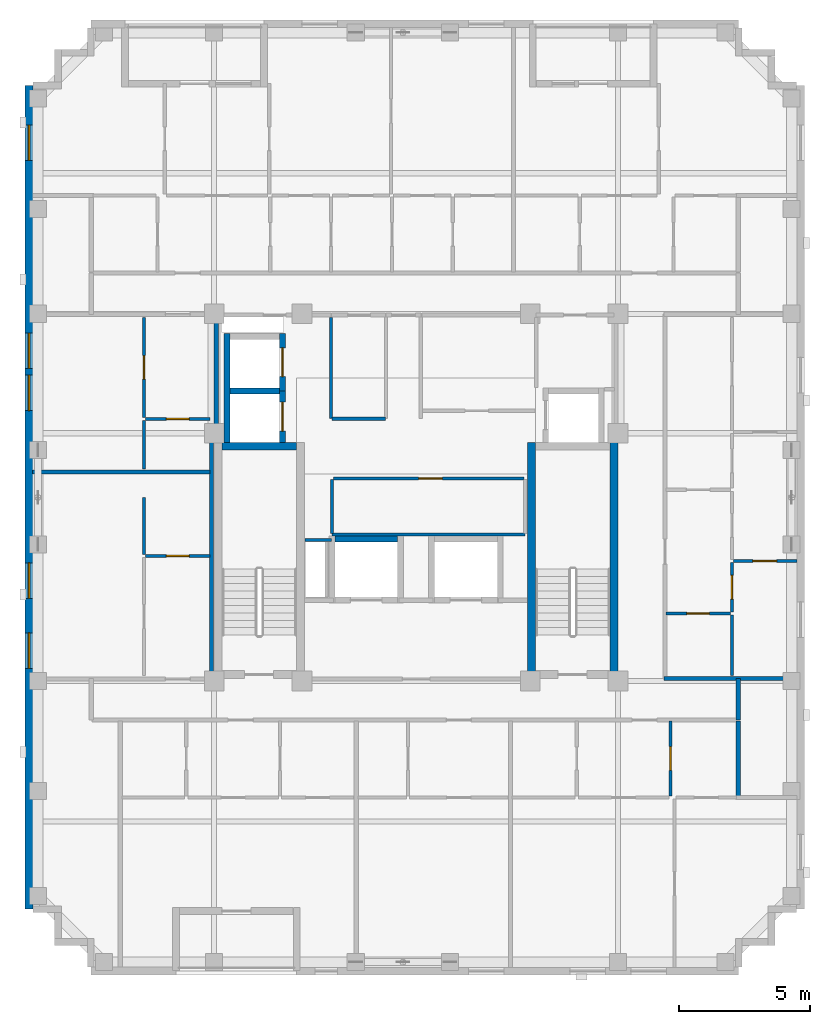
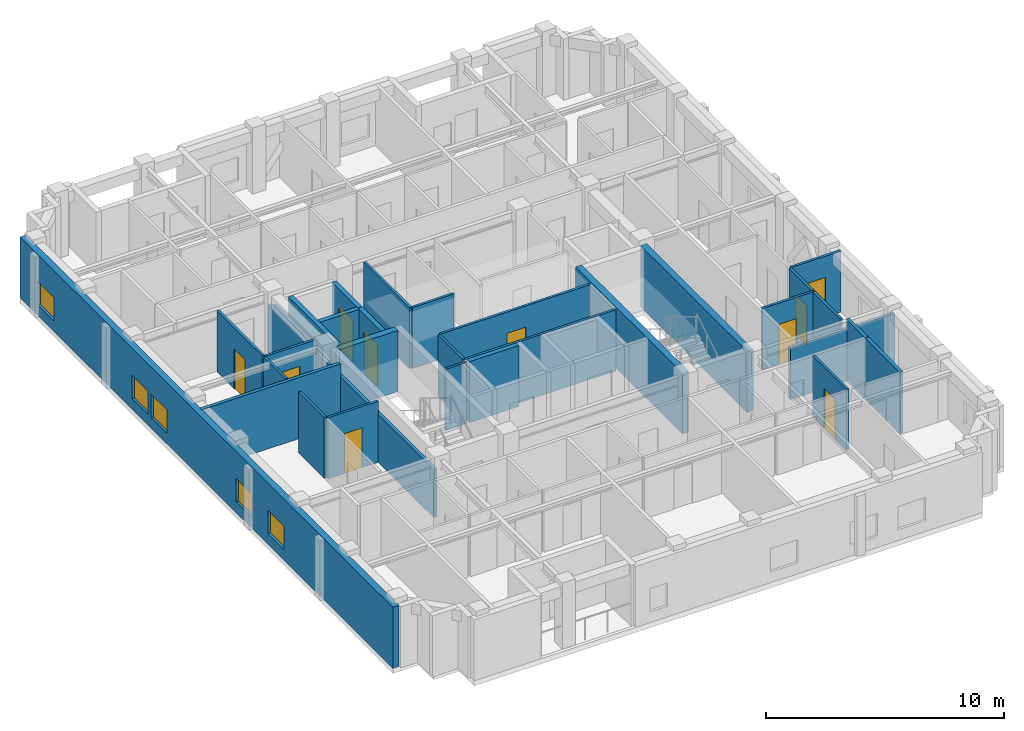
# One storey, part 4 of 11: 31 walls, 10 doors, 5 windows, 15 openings.
"""IFC4 building model written with IfcOpenShell, lengths in metres."""

from ifc_helpers import new_model, si_unit, derived_unit, direction, frame, frame_2d, origin, place, context, subcontext, project, spatial, rectangle, extrude, material, layer, layer_set, type_object, element, fill, save


model = new_model("IFC4")

# Units and contexts
model_context = context("Model", 3, precision=1e-05, world=origin(), true_north=direction((0.0, 1.0)))
body_context = subcontext(model_context, "Body", "Model", "MODEL_VIEW")
ifc_project = project(units=[si_unit("LENGTHUNIT", "METRE"), si_unit("AREAUNIT", "SQUARE_METRE"), si_unit("VOLUMEUNIT", "CUBIC_METRE"), si_unit("PLANEANGLEUNIT", "RADIAN"), si_unit("MASSUNIT", "GRAM", prefix="KILO"), derived_unit("THERMALTRANSMITTANCEUNIT", [(si_unit("MASSUNIT", "GRAM", prefix="KILO"), 1), (si_unit("TIMEUNIT", "SECOND"), -3), (si_unit("THERMODYNAMICTEMPERATUREUNIT", "KELVIN"), -1)])], contexts=[model_context])

# Site, building, storey
site_placement = place(None, origin())
site = spatial("IfcSite", under=ifc_project, at=site_placement, CompositionType="ELEMENT")
building_placement = place(site_placement, origin())
building = spatial("IfcBuilding", under=site, at=building_placement, Name="Korrvale Station Residences", CompositionType="ELEMENT")
storey_placement = place(building_placement, frame((0.0, 0.0, 247.89990234375)))
storey = spatial("IfcBuildingStorey", under=building, at=storey_placement, Name="L72", CompositionType="ELEMENT", Elevation=247.89990234375)

# Walls
ifc_material_1 = material(Name="Concrete C50/60", Category="concrete")
ifc_layer_1 = layer(ifc_material_1, 0.300048828125, Name="Concrete C50/60")
ifc_layer_set_1 = layer_set([ifc_layer_1], Name="Concrete C50/60")
wall_type_1 = type_object("IfcWallType", Name="WAL-CORE-300-C50", PredefinedType="SHEAR", material=ifc_layer_set_1)
wall_1_placement = place(storey_placement, frame((18.10009765625, 23.949951171875, 0.0), z_axis=(0.0, 0.0, 1.0), x_axis=(1.0, 0.0, 0.0)))
element("IfcWall", 1, at=wall_1_placement, inside=storey, type_object=wall_type_1, Name="L72 ST-1 Core Shear Wall North", PredefinedType="SHEAR", context=body_context, shape_type="SweptSolid", body=[
    extrude(rectangle(XDim=2.849853515625, YDim=0.300048828125, at=frame_2d((1.4248046875, 0.0))), origin(), (0.0, 0.0, 1.0), 3.14013671875),
])
for number, where, z_axis, x_axis, name in (
    (2, (29.89990234375, 15.10009765625, 0.0), (0.0, 0.0, 1.0), (0.0, 1.0, 0.0), "L72 ST-2 Core Shear Wall West"),
    (3, (33.050048828125, 15.10009765625, 0.0), (0.0, 0.0, 1.0), (0.0, 1.0, 0.0), "L72 ST-2 Core Shear Wall East"),
):
    element("IfcWall", number, at=place(storey_placement, frame(where, z_axis=z_axis, x_axis=x_axis)), inside=storey, type_object=wall_type_1, Name=name, PredefinedType="SHEAR", context=body_context, shape_type="SweptSolid", body=[
        extrude(rectangle(XDim=9.0, YDim=0.300048828125, at=frame_2d((4.5, 0.0))), origin(), (0.0, 0.0, 1.0), 3.14013671875),
    ])

# Wall, openings, windows
ifc_material_2 = material(Name="Precast concrete C45/55", Category="concrete")
ifc_layer_2 = layer(ifc_material_2, 0.300048828125, Name="Precast concrete C45/55")
ifc_layer_set_2 = layer_set([ifc_layer_2], Name="Precast concrete C45/55")
wall_type_2 = type_object("IfcWallType", Name="WAL-EXT-PC300", PredefinedType="SOLIDWALL", material=ifc_layer_set_2)
wall_2_placement = place(storey_placement, frame((10.75, 6.300048828125, 0.0), z_axis=(0.0, 0.0, 1.0), x_axis=(0.0, 1.0, 0.0)))
wall_2 = element("IfcWall", 4, at=wall_2_placement, inside=storey, type_object=wall_type_2, Name="L72 West Exterior Precast Wall 1", PredefinedType="SOLIDWALL", context=body_context, shape_type="SweptSolid", body=[
    extrude(rectangle(XDim=31.39990234375, YDim=0.300048828125, at=frame_2d((15.699951171875, 0.0))), origin(), (0.0, 0.0, 1.0), 3.14013671875),
])
opening_1_placement = place(wall_2_placement, frame((28.5458984375, 0.0, 0.550048828125)))
opening_1 = element("IfcOpeningElement", 5, at=opening_1_placement, cuts=wall_2, Name="Opening W-10", PredefinedType="OPENING", context=body_context, shape_type="SweptSolid", body=[
    extrude(rectangle(XDim=1.35009765625, YDim=1.199951171875, at=frame_2d((0.675048828125, 0.60009765625))), frame((0.0, 0.16015625, 0.0), z_axis=(0.0, -1.0, 0.0), x_axis=(1.0, 0.0, 0.0)), (0.0, 0.0, 1.0), 0.320068359375),
])
opening_2_placement = place(wall_2_placement, frame((11.85009765625, 0.0, 0.550048828125)))
opening_2 = element("IfcOpeningElement", 6, at=opening_2_placement, cuts=wall_2, Name="Opening W-10", PredefinedType="OPENING", context=body_context, shape_type="SweptSolid", body=[
    extrude(rectangle(XDim=1.35009765625, YDim=1.199951171875, at=frame_2d((0.675048828125, 0.60009765625))), frame((0.0, 0.16015625, 0.0), z_axis=(0.0, -1.0, 0.0), x_axis=(1.0, 0.0, 0.0)), (0.0, 0.0, 1.0), 0.320068359375),
])
opening_3_placement = place(wall_2_placement, frame((9.18505859375, 0.0, 0.550048828125)))
opening_3 = element("IfcOpeningElement", 7, at=opening_3_placement, cuts=wall_2, Name="Opening W-10", PredefinedType="OPENING", context=body_context, shape_type="SweptSolid", body=[
    extrude(rectangle(XDim=1.35009765625, YDim=1.199951171875, at=frame_2d((0.675048828125, 0.60009765625))), frame((0.0, 0.16015625, 0.0), z_axis=(0.0, -1.0, 0.0), x_axis=(1.0, 0.0, 0.0)), (0.0, 0.0, 1.0), 0.320068359375),
])
opening_4_placement = place(wall_2_placement, frame((19.006103515625, 0.0, 0.550048828125)))
opening_4 = element("IfcOpeningElement", 8, at=opening_4_placement, cuts=wall_2, Name="Opening W-10", PredefinedType="OPENING", context=body_context, shape_type="SweptSolid", body=[
    extrude(rectangle(XDim=1.35009765625, YDim=1.199951171875, at=frame_2d((0.675048828125, 0.60009765625))), frame((0.0, 0.16015625, 0.0), z_axis=(0.0, -1.0, 0.0), x_axis=(1.0, 0.0, 0.0)), (0.0, 0.0, 1.0), 0.320068359375),
])
opening_5_placement = place(wall_2_placement, frame((20.615966796875, 0.0, 0.550048828125)))
opening_5 = element("IfcOpeningElement", 9, at=opening_5_placement, cuts=wall_2, Name="Opening W-10", PredefinedType="OPENING", context=body_context, shape_type="SweptSolid", body=[
    extrude(rectangle(XDim=1.35009765625, YDim=1.199951171875, at=frame_2d((0.675048828125, 0.60009765625))), frame((0.0, 0.16015625, 0.0), z_axis=(0.0, -1.0, 0.0), x_axis=(1.0, 0.0, 0.0)), (0.0, 0.0, 1.0), 0.320068359375),
])
ifc_material_3 = material(Name="Thermally broken aluminium frame with triple low-e glazing", Category="aluminium")
window_type = type_object("IfcWindowType", Name="WIN-W10", PartitioningType="SINGLE_PANEL", PredefinedType="WINDOW", material=ifc_material_3)
window_1_placement = place(opening_1_placement, origin())
window_1 = element("IfcWindow", 10, at=window_1_placement, inside=storey, type_object=window_type, Name="L72 Punched Window 06", OverallHeight=1.199951171875, OverallWidth=1.35009765625, PartitioningType="SINGLE_PANEL", PredefinedType="WINDOW", context=body_context, shape_type="SweptSolid", body=[
    extrude(rectangle(XDim=1.35009765625, YDim=1.199951171875, at=frame_2d((0.675048828125, 0.60009765625))), frame((0.0, 0.030029296875, 0.0), z_axis=(0.0, -1.0, 0.0), x_axis=(1.0, 0.0, 0.0)), (0.0, 0.0, 1.0), 0.06005859375),
])
fill(opening_1, window_1)
window_2_placement = place(opening_2_placement, origin())
window_2 = element("IfcWindow", 11, at=window_2_placement, inside=storey, type_object=window_type, Name="L72 Punched Window 12", OverallHeight=1.199951171875, OverallWidth=1.35009765625, PartitioningType="SINGLE_PANEL", PredefinedType="WINDOW", context=body_context, shape_type="SweptSolid", body=[
    extrude(rectangle(XDim=1.35009765625, YDim=1.199951171875, at=frame_2d((0.675048828125, 0.60009765625))), frame((0.0, 0.030029296875, 0.0), z_axis=(0.0, -1.0, 0.0), x_axis=(1.0, 0.0, 0.0)), (0.0, 0.0, 1.0), 0.06005859375),
])
fill(opening_2, window_2)
window_3_placement = place(opening_3_placement, origin())
window_3 = element("IfcWindow", 12, at=window_3_placement, inside=storey, type_object=window_type, Name="L72 Punched Window 13", OverallHeight=1.199951171875, OverallWidth=1.35009765625, PartitioningType="SINGLE_PANEL", PredefinedType="WINDOW", context=body_context, shape_type="SweptSolid", body=[
    extrude(rectangle(XDim=1.35009765625, YDim=1.199951171875, at=frame_2d((0.675048828125, 0.60009765625))), frame((0.0, 0.030029296875, 0.0), z_axis=(0.0, -1.0, 0.0), x_axis=(1.0, 0.0, 0.0)), (0.0, 0.0, 1.0), 0.06005859375),
])
fill(opening_3, window_3)
window_4_placement = place(opening_4_placement, origin())
window_4 = element("IfcWindow", 13, at=window_4_placement, inside=storey, type_object=window_type, Name="L72 Punched Window 14", OverallHeight=1.199951171875, OverallWidth=1.35009765625, PartitioningType="SINGLE_PANEL", PredefinedType="WINDOW", context=body_context, shape_type="SweptSolid", body=[
    extrude(rectangle(XDim=1.35009765625, YDim=1.199951171875, at=frame_2d((0.675048828125, 0.60009765625))), frame((0.0, 0.030029296875, 0.0), z_axis=(0.0, -1.0, 0.0), x_axis=(1.0, 0.0, 0.0)), (0.0, 0.0, 1.0), 0.06005859375),
])
fill(opening_4, window_4)
window_5_placement = place(opening_5_placement, origin())
window_5 = element("IfcWindow", 14, at=window_5_placement, inside=storey, type_object=window_type, Name="L72 Punched Window 15", OverallHeight=1.199951171875, OverallWidth=1.35009765625, PartitioningType="SINGLE_PANEL", PredefinedType="WINDOW", context=body_context, shape_type="SweptSolid", body=[
    extrude(rectangle(XDim=1.35009765625, YDim=1.199951171875, at=frame_2d((0.675048828125, 0.60009765625))), frame((0.0, 0.030029296875, 0.0), z_axis=(0.0, -1.0, 0.0), x_axis=(1.0, 0.0, 0.0)), (0.0, 0.0, 1.0), 0.06005859375),
])
fill(opening_5, window_5)

# Walls
ifc_material_4 = material(Name="Acoustic steel-stud gypsum board partition", Category="steel")
ifc_layer_3 = layer(ifc_material_4, 0.1201171875, Name="Acoustic steel-stud gypsum board partition")
ifc_layer_set_3 = layer_set([ifc_layer_3], Name="Acoustic steel-stud gypsum board partition")
wall_type_3 = type_object("IfcWallType", Name="WAL-PART-125", PredefinedType="PARTITIONING", material=ifc_layer_set_3)
wall_3_placement = place(storey_placement, frame((22.280029296875, 20.3798828125, 0.0), z_axis=(0.0, 0.0, 1.0), x_axis=(-1.0, 0.0, 0.0)))
element("IfcWall", 15, at=wall_3_placement, inside=storey, type_object=wall_type_3, Name="L72 Core Partition CW-RSWT-N", PredefinedType="PARTITIONING", context=body_context, shape_type="SweptSolid", body=[
    extrude(rectangle(XDim=1.02001953125, YDim=0.1201171875, at=frame_2d((0.510009765625, 0.0))), origin(), (0.0, 0.0, 1.0), 3.14013671875),
])
wall_4_placement = place(storey_placement, frame((22.260009765625, 25.0, 0.0), z_axis=(0.0, 0.0, 1.0), x_axis=(0.0, 1.0, 0.0)))
element("IfcWall", 16, at=wall_4_placement, inside=storey, type_object=wall_type_3, Name="L72 Core Partition CW-FPLW-W", PredefinedType="PARTITIONING", context=body_context, shape_type="SweptSolid", body=[
    extrude(rectangle(XDim=3.860107421875, YDim=0.1201171875, at=frame_2d((1.93017578125, 0.0))), origin(), (0.0, 0.0, 1.0), 3.14013671875),
])
wall_5_placement = place(storey_placement, frame((22.300048828125, 25.0, 0.0), z_axis=(0.0, 0.0, 1.0), x_axis=(1.0, 0.0, 0.0)))
element("IfcWall", 17, at=wall_5_placement, inside=storey, type_object=wall_type_3, Name="L72 Core Partition CW-FPLW-S", PredefinedType="PARTITIONING", context=body_context, shape_type="SweptSolid", body=[
    extrude(rectangle(XDim=2.0400390625, YDim=0.1201171875, at=frame_2d((1.02001953125, 0.0))), origin(), (0.0, 0.0, 1.0), 3.14013671875),
])
wall_6_placement = place(storey_placement, frame((22.300048828125, 20.580078125, 0.0), z_axis=(0.0, 0.0, 1.0), x_axis=(1.0, 0.0, 0.0)))
element("IfcWall", 18, at=wall_6_placement, inside=storey, type_object=wall_type_3, Name="L72 Core Partition CW-FPM-S", PredefinedType="PARTITIONING", context=body_context, shape_type="SweptSolid", body=[
    extrude(rectangle(XDim=7.349853515625, YDim=0.1201171875, at=frame_2d((3.6748046875, 0.0))), origin(), (0.0, 0.0, 1.0), 3.14013671875),
])
wall_7_placement = place(storey_placement, frame((22.300048828125, 20.6201171875, 0.0), z_axis=(0.0, 0.0, 1.0), x_axis=(0.0, 1.0, 0.0)))
element("IfcWall", 19, at=wall_7_placement, inside=storey, type_object=wall_type_3, Name="L72 Core Partition CW-FPM-W", PredefinedType="PARTITIONING", context=body_context, shape_type="SweptSolid", body=[
    extrude(rectangle(XDim=2.059814453125, YDim=0.1201171875, at=frame_2d((1.02978515625, 0.0))), origin(), (0.0, 0.0, 1.0), 3.14013671875),
])

# Wall, opening, door
wall_8_placement = place(storey_placement, frame((22.35009765625, 22.719970703125, 0.0), z_axis=(0.0, 0.0, 1.0), x_axis=(1.0, 0.0, 0.0)))
wall_8 = element("IfcWall", 20, at=wall_8_placement, inside=storey, type_object=wall_type_3, Name="L72 Core Partition CW-FPM-N", PredefinedType="PARTITIONING", context=body_context, shape_type="SweptSolid", body=[
    extrude(rectangle(XDim=7.27001953125, YDim=0.1201171875, at=frame_2d((3.635009765625, 0.0))), origin(), (0.0, 0.0, 1.0), 3.14013671875),
])
opening_6_placement = place(wall_8_placement, frame((3.25, 0.0, 0.0)))
opening_6 = element("IfcOpeningElement", 21, at=opening_6_placement, cuts=wall_8, Name="Opening DI-900", PredefinedType="OPENING", context=body_context, shape_type="SweptSolid", body=[
    extrude(rectangle(XDim=0.89990234375, YDim=2.050048828125, at=frame_2d((0.449951171875, 1.02490234375))), frame((0.0, 0.070068359375, 0.0), z_axis=(0.0, -1.0, 0.0), x_axis=(1.0, 0.0, 0.0)), (0.0, 0.0, 1.0), 0.14013671875),
])
ifc_material_5 = material(Name="Painted solid-core timber interior room door", Category="wood")
door_type_1 = type_object("IfcDoorType", Name="DR-INT-900", OperationType="NOTDEFINED", PredefinedType="DOOR", material=ifc_material_5)
door_1_placement = place(opening_6_placement, origin())
door_1 = element("IfcDoor", 22, at=door_1_placement, inside=storey, type_object=door_type_1, Name="L72 Beverage Store Door", OperationType="SINGLE_SWING_RIGHT", OverallHeight=2.050048828125, OverallWidth=0.89990234375, PredefinedType="DOOR", context=body_context, shape_type="SweptSolid", body=[
    extrude(rectangle(XDim=0.89990234375, YDim=2.050048828125, at=frame_2d((0.449951171875, 1.02490234375))), frame((0.0, 0.02490234375, 0.0), z_axis=(0.0, -1.0, 0.0), x_axis=(1.0, 0.0, 0.0)), (0.0, 0.0, 1.0), 0.050048828125),
])
fill(opening_6, door_1)

wall_9_placement = place(storey_placement, frame((35.195068359375, 10.6201171875, 0.0), z_axis=(0.0, 0.0, 1.0), x_axis=(0.0, 1.0, 0.0)))
wall_9 = element("IfcWall", 23, at=wall_9_placement, inside=storey, type_object=wall_type_3, Name="L72 Suite Partition U03-V12", PredefinedType="PARTITIONING", context=body_context, shape_type="SweptSolid", body=[
    extrude(rectangle(XDim=2.849853515625, YDim=0.1201171875, at=frame_2d((1.4248046875, 0.0))), origin(), (0.0, 0.0, 1.0), 3.14013671875),
])
opening_7_placement = place(wall_9_placement, frame((0.97509765625, 0.0, 0.0)))
opening_7 = element("IfcOpeningElement", 24, at=opening_7_placement, cuts=wall_9, Name="Opening DI-900", PredefinedType="OPENING", context=body_context, shape_type="SweptSolid", body=[
    extrude(rectangle(XDim=0.89990234375, YDim=2.050048828125, at=frame_2d((0.449951171875, 1.02490234375))), frame((0.0, 0.070068359375, 0.0), z_axis=(0.0, -1.0, 0.0), x_axis=(1.0, 0.0, 0.0)), (0.0, 0.0, 1.0), 0.14013671875),
])
door_2_placement = place(opening_7_placement, origin())
door_2 = element("IfcDoor", 25, at=door_2_placement, inside=storey, type_object=door_type_1, Name="L72 Apartment 1BR L72-U03 Kitchen Door", OperationType="SINGLE_SWING_RIGHT", OverallHeight=2.050048828125, OverallWidth=0.89990234375, PredefinedType="DOOR", context=body_context, shape_type="SweptSolid", body=[
    extrude(rectangle(XDim=0.89990234375, YDim=2.050048828125, at=frame_2d((0.449951171875, 1.02490234375))), frame((0.0, 0.02490234375, 0.0), z_axis=(0.0, -1.0, 0.0), x_axis=(1.0, 0.0, 0.0)), (0.0, 0.0, 1.0), 0.050048828125),
])
fill(opening_7, door_2)

wall_10_placement = place(storey_placement, frame((15.18994140625, 19.77001953125, 0.0), z_axis=(0.0, 0.0, 1.0), x_axis=(1.0, 0.0, 0.0)))
wall_10 = element("IfcWall", 26, at=wall_10_placement, inside=storey, type_object=wall_type_3, Name="L72 Suite Partition U06-H01", PredefinedType="PARTITIONING", context=body_context, shape_type="SweptSolid", body=[
    extrude(rectangle(XDim=2.449951171875, YDim=0.1201171875, at=frame_2d((1.22509765625, 0.0))), origin(), (0.0, 0.0, 1.0), 3.14013671875),
])
opening_8_placement = place(wall_10_placement, frame((0.794921875, 0.0, 0.0)))
opening_8 = element("IfcOpeningElement", 27, at=opening_8_placement, cuts=wall_10, Name="Opening DB-860", PredefinedType="OPENING", context=body_context, shape_type="SweptSolid", body=[
    extrude(rectangle(XDim=0.860107421875, YDim=2.050048828125, at=frame_2d((0.43017578125, 1.02490234375))), frame((0.0, 0.070068359375, 0.0), z_axis=(0.0, -1.0, 0.0), x_axis=(1.0, 0.0, 0.0)), (0.0, 0.0, 1.0), 0.14013671875),
])
ifc_material_6 = material(Name="Moisture-resistant solid-core bathroom door", Category="timber")
door_type_2 = type_object("IfcDoorType", Name="DR-BATH-860", OperationType="NOTDEFINED", PredefinedType="DOOR", material=ifc_material_6)
door_3_placement = place(opening_8_placement, origin())
door_3 = element("IfcDoor", 28, at=door_3_placement, inside=storey, type_object=door_type_2, Name="L72 Studio Apartment L72-U06 Bathroom Door", OperationType="SINGLE_SWING_LEFT", OverallHeight=2.050048828125, OverallWidth=0.860107421875, PredefinedType="DOOR", context=body_context, shape_type="SweptSolid", body=[
    extrude(rectangle(XDim=0.860107421875, YDim=2.050048828125, at=frame_2d((0.43017578125, 1.02490234375))), frame((0.0, 0.02490234375, 0.0), z_axis=(0.0, -1.0, 0.0), x_axis=(1.0, 0.0, 0.0)), (0.0, 0.0, 1.0), 0.050048828125),
])
fill(opening_8, door_3)

# Wall
wall_11_placement = place(storey_placement, frame((15.1298828125, 19.830078125, 0.0), z_axis=(0.0, 0.0, 1.0), x_axis=(0.0, 1.0, 0.0)))
element("IfcWall", 29, at=wall_11_placement, inside=storey, type_object=wall_type_3, Name="L72 Suite Partition U06-V02", PredefinedType="PARTITIONING", context=body_context, shape_type="SweptSolid", body=[
    extrude(rectangle(XDim=2.158935546875, YDim=0.1201171875, at=frame_2d((1.07958984375, 0.0))), origin(), (0.0, 0.0, 1.0), 3.14013671875),
])

# Wall, opening, door
wall_12_placement = place(storey_placement, frame((15.18994140625, 24.991943359375, 0.0), z_axis=(0.0, 0.0, 1.0), x_axis=(1.0, 0.0, 0.0)))
wall_12 = element("IfcWall", 30, at=wall_12_placement, inside=storey, type_object=wall_type_3, Name="L72 Suite Partition U07-H01", PredefinedType="PARTITIONING", context=body_context, shape_type="SweptSolid", body=[
    extrude(rectangle(XDim=2.449951171875, YDim=0.1201171875, at=frame_2d((1.22509765625, 0.0))), origin(), (0.0, 0.0, 1.0), 3.14013671875),
])
opening_9_placement = place(wall_12_placement, frame((0.794921875, 0.0, 0.0)))
opening_9 = element("IfcOpeningElement", 31, at=opening_9_placement, cuts=wall_12, Name="Opening DB-860", PredefinedType="OPENING", context=body_context, shape_type="SweptSolid", body=[
    extrude(rectangle(XDim=0.860107421875, YDim=2.050048828125, at=frame_2d((0.43017578125, 1.02490234375))), frame((0.0, 0.070068359375, 0.0), z_axis=(0.0, -1.0, 0.0), x_axis=(1.0, 0.0, 0.0)), (0.0, 0.0, 1.0), 0.14013671875),
])
door_4_placement = place(opening_9_placement, origin())
door_4 = element("IfcDoor", 32, at=door_4_placement, inside=storey, type_object=door_type_2, Name="L72 Studio Apartment L72-U07 Bathroom Door", OperationType="SINGLE_SWING_RIGHT", OverallHeight=2.050048828125, OverallWidth=0.860107421875, PredefinedType="DOOR", context=body_context, shape_type="SweptSolid", body=[
    extrude(rectangle(XDim=0.860107421875, YDim=2.050048828125, at=frame_2d((0.43017578125, 1.02490234375))), frame((0.0, 0.02490234375, 0.0), z_axis=(0.0, -1.0, 0.0), x_axis=(1.0, 0.0, 0.0)), (0.0, 0.0, 1.0), 0.050048828125),
])
fill(opening_9, door_4)

# Wall
wall_13_placement = place(storey_placement, frame((15.1298828125, 23.08203125, 0.0), z_axis=(0.0, 0.0, 1.0), x_axis=(0.0, 1.0, 0.0)))
element("IfcWall", 33, at=wall_13_placement, inside=storey, type_object=wall_type_3, Name="L72 Suite Partition U07-V02", PredefinedType="PARTITIONING", context=body_context, shape_type="SweptSolid", body=[
    extrude(rectangle(XDim=1.849853515625, YDim=0.1201171875, at=frame_2d((0.9248046875, 0.0))), origin(), (0.0, 0.0, 1.0), 3.14013671875),
])

# Wall, opening, door
wall_14_placement = place(storey_placement, frame((15.1298828125, 25.052001953125, 0.0), z_axis=(0.0, 0.0, 1.0), x_axis=(0.0, 1.0, 0.0)))
wall_14 = element("IfcWall", 34, at=wall_14_placement, inside=storey, type_object=wall_type_3, Name="L72 Suite Partition U07-V12", PredefinedType="PARTITIONING", context=body_context, shape_type="SweptSolid", body=[
    extrude(rectangle(XDim=3.80810546875, YDim=0.1201171875, at=frame_2d((1.904052734375, 0.0))), origin(), (0.0, 0.0, 1.0), 3.14013671875),
])
opening_10_placement = place(wall_14_placement, frame((1.4541015625, 0.0, 0.0)))
opening_10 = element("IfcOpeningElement", 35, at=opening_10_placement, cuts=wall_14, Name="Opening DI-900", PredefinedType="OPENING", context=body_context, shape_type="SweptSolid", body=[
    extrude(rectangle(XDim=0.89990234375, YDim=2.050048828125, at=frame_2d((0.449951171875, 1.02490234375))), frame((0.0, 0.070068359375, 0.0), z_axis=(0.0, -1.0, 0.0), x_axis=(1.0, 0.0, 0.0)), (0.0, 0.0, 1.0), 0.14013671875),
])
door_5_placement = place(opening_10_placement, origin())
door_5 = element("IfcDoor", 36, at=door_5_placement, inside=storey, type_object=door_type_1, Name="L72 Studio Apartment L72-U07 Kitchen Door", OperationType="SINGLE_SWING_LEFT", OverallHeight=2.050048828125, OverallWidth=0.89990234375, PredefinedType="DOOR", context=body_context, shape_type="SweptSolid", body=[
    extrude(rectangle(XDim=0.89990234375, YDim=2.050048828125, at=frame_2d((0.449951171875, 1.02490234375))), frame((0.0, 0.02490234375, 0.0), z_axis=(0.0, -1.0, 0.0), x_axis=(1.0, 0.0, 0.0)), (0.0, 0.0, 1.0), 0.050048828125),
])
fill(opening_10, door_5)

wall_15_placement = place(storey_placement, frame((35.030029296875, 17.570068359375, 0.0), z_axis=(0.0, 0.0, 1.0), x_axis=(1.0, 0.0, 0.0)))
wall_15 = element("IfcWall", 37, at=wall_15_placement, inside=storey, type_object=wall_type_3, Name="L72 Suite Partition U08-H12", PredefinedType="PARTITIONING", context=body_context, shape_type="SweptSolid", body=[
    extrude(rectangle(XDim=2.449951171875, YDim=0.1201171875, at=frame_2d((1.22509765625, 0.0))), origin(), (0.0, 0.0, 1.0), 3.14013671875),
])
opening_11_placement = place(wall_15_placement, frame((0.794921875, 0.0, 0.0)))
opening_11 = element("IfcOpeningElement", 38, at=opening_11_placement, cuts=wall_15, Name="Opening DB-860", PredefinedType="OPENING", context=body_context, shape_type="SweptSolid", body=[
    extrude(rectangle(XDim=0.860107421875, YDim=2.050048828125, at=frame_2d((0.43017578125, 1.02490234375))), frame((0.0, 0.070068359375, 0.0), z_axis=(0.0, -1.0, 0.0), x_axis=(1.0, 0.0, 0.0)), (0.0, 0.0, 1.0), 0.14013671875),
])
door_6_placement = place(opening_11_placement, origin())
door_6 = element("IfcDoor", 39, at=door_6_placement, inside=storey, type_object=door_type_2, Name="L72 Apartment 2BR L72-U08 Bathroom Door", OperationType="SINGLE_SWING_LEFT", OverallHeight=2.050048828125, OverallWidth=0.860107421875, PredefinedType="DOOR", context=body_context, shape_type="SweptSolid", body=[
    extrude(rectangle(XDim=0.860107421875, YDim=2.050048828125, at=frame_2d((0.43017578125, 1.02490234375))), frame((0.0, 0.02490234375, 0.0), z_axis=(0.0, -1.0, 0.0), x_axis=(1.0, 0.0, 0.0)), (0.0, 0.0, 1.0), 0.050048828125),
])
fill(opening_11, door_6)

# Wall
wall_16_placement = place(storey_placement, frame((37.5400390625, 15.2099609375, 0.0), z_axis=(0.0, 0.0, 1.0), x_axis=(0.0, 1.0, 0.0)))
element("IfcWall", 40, at=wall_16_placement, inside=storey, type_object=wall_type_3, Name="L72 Suite Partition U08-V13", PredefinedType="PARTITIONING", context=body_context, shape_type="SweptSolid", body=[
    extrude(rectangle(XDim=2.300048828125, YDim=0.1201171875, at=frame_2d((1.14990234375, 0.0))), origin(), (0.0, 0.0, 1.0), 3.14013671875),
])

# Wall, opening, door
wall_17_placement = place(storey_placement, frame((37.5400390625, 17.6298828125, 0.0), z_axis=(0.0, 0.0, 1.0), x_axis=(0.0, 1.0, 0.0)))
wall_17 = element("IfcWall", 41, at=wall_17_placement, inside=storey, type_object=wall_type_3, Name="L72 Suite Partition U08-V23", PredefinedType="PARTITIONING", context=body_context, shape_type="SweptSolid", body=[
    extrude(rectangle(XDim=1.88818359375, YDim=0.1201171875, at=frame_2d((0.944091796875, 0.0))), origin(), (0.0, 0.0, 1.0), 3.14013671875),
])
opening_12_placement = place(wall_17_placement, frame((0.493896484375, 0.0, 0.0)))
opening_12 = element("IfcOpeningElement", 42, at=opening_12_placement, cuts=wall_17, Name="Opening DI-900", PredefinedType="OPENING", context=body_context, shape_type="SweptSolid", body=[
    extrude(rectangle(XDim=0.89990234375, YDim=2.050048828125, at=frame_2d((0.449951171875, 1.02490234375))), frame((0.0, 0.070068359375, 0.0), z_axis=(0.0, -1.0, 0.0), x_axis=(1.0, 0.0, 0.0)), (0.0, 0.0, 1.0), 0.14013671875),
])
door_7_placement = place(opening_12_placement, origin())
door_7 = element("IfcDoor", 43, at=door_7_placement, inside=storey, type_object=door_type_1, Name="L72 Apartment 2BR L72-U08 Kitchen Door", OperationType="SINGLE_SWING_RIGHT", OverallHeight=2.050048828125, OverallWidth=0.89990234375, PredefinedType="DOOR", context=body_context, shape_type="SweptSolid", body=[
    extrude(rectangle(XDim=0.89990234375, YDim=2.050048828125, at=frame_2d((0.449951171875, 1.02490234375))), frame((0.0, 0.02490234375, 0.0), z_axis=(0.0, -1.0, 0.0), x_axis=(1.0, 0.0, 0.0)), (0.0, 0.0, 1.0), 0.050048828125),
])
fill(opening_12, door_7)

wall_18_placement = place(storey_placement, frame((37.60009765625, 19.577880859375, 0.0), z_axis=(0.0, 0.0, 1.0), x_axis=(1.0, 0.0, 0.0)))
wall_18 = element("IfcWall", 44, at=wall_18_placement, inside=storey, type_object=wall_type_3, Name="L72 Suite Partition U08-H34", PredefinedType="PARTITIONING", context=body_context, shape_type="SweptSolid", body=[
    extrude(rectangle(XDim=2.419921875, YDim=0.1201171875, at=frame_2d((1.2099609375, 0.0))), origin(), (0.0, 0.0, 1.0), 3.14013671875),
])
opening_13_placement = place(wall_18_placement, frame((0.7451171875, 0.0, 0.0)))
opening_13 = element("IfcOpeningElement", 45, at=opening_13_placement, cuts=wall_18, Name="Opening DI-900", PredefinedType="OPENING", context=body_context, shape_type="SweptSolid", body=[
    extrude(rectangle(XDim=0.89990234375, YDim=2.050048828125, at=frame_2d((0.449951171875, 1.02490234375))), frame((0.0, 0.070068359375, 0.0), z_axis=(0.0, -1.0, 0.0), x_axis=(1.0, 0.0, 0.0)), (0.0, 0.0, 1.0), 0.14013671875),
])
door_8_placement = place(opening_13_placement, origin())
door_8 = element("IfcDoor", 46, at=door_8_placement, inside=storey, type_object=door_type_1, Name="L72 Apartment 2BR L72-U08 Bedroom 1 Door", OperationType="SINGLE_SWING_RIGHT", OverallHeight=2.050048828125, OverallWidth=0.89990234375, PredefinedType="DOOR", context=body_context, shape_type="SweptSolid", body=[
    extrude(rectangle(XDim=0.89990234375, YDim=2.050048828125, at=frame_2d((0.449951171875, 1.02490234375))), frame((0.0, 0.02490234375, 0.0), z_axis=(0.0, -1.0, 0.0), x_axis=(1.0, 0.0, 0.0)), (0.0, 0.0, 1.0), 0.050048828125),
])
fill(opening_13, door_8)

# Walls
ifc_material_7 = material(Name="Fire-rated twin-stud gypsum and mineral wool shaftwall assembly", Category="gypsum")
ifc_layer_4 = layer(ifc_material_7, 0.159912109375, Name="Fire-rated twin-stud gypsum and mineral wool shaftwall assembly")
ifc_layer_set_4 = layer_set([ifc_layer_4], Name="Fire-rated twin-stud gypsum and mineral wool shaftwall assembly")
wall_type_4 = type_object("IfcWallType", Name="WAL-PART-200", PredefinedType="PARTITIONING", material=ifc_layer_set_4)
wall_19_placement = place(storey_placement, frame((17.8798828125, 24.1201171875, 0.0), z_axis=(0.0, 0.0, 1.0), x_axis=(0.0, 1.0, 0.0)))
element("IfcWall", 47, at=wall_19_placement, inside=storey, type_object=wall_type_4, Name="L72 Core Partition CW-W-N", PredefinedType="PARTITIONING", context=body_context, shape_type="SweptSolid", body=[
    extrude(rectangle(XDim=4.759765625, YDim=0.159912109375, at=frame_2d((2.3798828125, 0.0))), origin(), (0.0, 0.0, 1.0), 2.47509765625),
])
wall_20_placement = place(storey_placement, frame((37.780029296875, 13.510009765625, 0.0), z_axis=(0.0, 0.0, 1.0), x_axis=(0.0, 1.0, 0.0)))
element("IfcWall", 48, at=wall_20_placement, inside=storey, type_object=wall_type_4, Name="L72 Corridor South East Cap", PredefinedType="PARTITIONING", context=body_context, shape_type="SweptSolid", body=[
    extrude(rectangle(XDim=1.580078125, YDim=0.159912109375, at=frame_2d((0.7900390625, 0.0))), origin(), (0.0, 0.0, 1.0), 3.14013671875),
])
wall_21_placement = place(storey_placement, frame((34.949951171875, 15.090087890625, 0.0), z_axis=(0.0, 0.0, 1.0), x_axis=(1.0, 0.0, 0.0)))
element("IfcWall", 49, at=wall_21_placement, inside=storey, type_object=wall_type_4, Name="L72 East Wing South Corridor Wall", PredefinedType="PARTITIONING", context=body_context, shape_type="SweptSolid", body=[
    extrude(rectangle(XDim=5.070068359375, YDim=0.159912109375, at=frame_2d((2.53515625, 0.0))), origin(), (0.0, 0.0, 1.0), 2.668212890625),
])
wall_22_placement = place(storey_placement, frame((37.780029296875, 10.56005859375, 0.0), z_axis=(0.0, 0.0, 1.0), x_axis=(0.0, 1.0, 0.0)))
element("IfcWall", 50, at=wall_22_placement, inside=storey, type_object=wall_type_4, Name="L72 Corner Step Cheek U03-R", PredefinedType="PARTITIONING", context=body_context, shape_type="SweptSolid", body=[
    extrude(rectangle(XDim=2.909912109375, YDim=0.159912109375, at=frame_2d((1.455078125, 0.0))), origin(), (0.0, 0.0, 1.0), 3.14013671875),
])
wall_23_placement = place(storey_placement, frame((10.8798828125, 22.9619140625, 0.0), z_axis=(0.0, 0.0, 1.0), x_axis=(1.0, 0.0, 0.0)))
element("IfcWall", 51, at=wall_23_placement, inside=storey, type_object=wall_type_4, Name="L72 Demising Wall U06-N", PredefinedType="PARTITIONING", context=body_context, shape_type="SweptSolid", body=[
    extrude(rectangle(XDim=6.760009765625, YDim=0.159912109375, at=frame_2d((3.3798828125, 0.0))), origin(), (0.0, 0.0, 1.0), 3.14013671875),
])
wall_24_placement = place(storey_placement, frame((17.699951171875, 15.02001953125, 0.0), z_axis=(0.0, 0.0, 1.0), x_axis=(0.0, 1.0, 0.0)))
element("IfcWall", 52, at=wall_24_placement, inside=storey, type_object=wall_type_4, Name="L72 Rated Corridor Wall W", PredefinedType="PARTITIONING", context=body_context, shape_type="SweptSolid", body=[
    extrude(rectangle(XDim=13.97998046875, YDim=0.159912109375, at=frame_2d((6.989990234375, 0.0))), origin(), (0.0, 0.0, 1.0), 2.47509765625),
])
ifc_layer_5 = layer(ifc_material_1, 0.219970703125, Name="Concrete C50/60")
ifc_layer_set_5 = layer_set([ifc_layer_5], Name="Concrete C50/60")
wall_type_5 = type_object("IfcWallType", Name="WAL-SHAFT-220-C50", PredefinedType="SHEAR", material=ifc_layer_set_5)
wall_25_placement = place(storey_placement, frame((18.2900390625, 24.10009765625, 0.0), z_axis=(0.0, 0.0, 1.0), x_axis=(0.0, 1.0, 0.0)))
element("IfcWall", 53, at=wall_25_placement, inside=storey, type_object=wall_type_5, Name="L72 Elevator PH-1 Hoistway Wall West", PredefinedType="SHEAR", context=body_context, shape_type="SweptSolid", body=[
    extrude(rectangle(XDim=4.139892578125, YDim=0.219970703125, at=frame_2d((2.06982421875, 0.0))), origin(), (0.0, 0.0, 1.0), 3.14013671875),
])

# Wall, opening, door
wall_26_placement = place(storey_placement, frame((20.409912109375, 24.10009765625, 0.0), z_axis=(0.0, 0.0, 1.0), x_axis=(0.0, 1.0, 0.0)))
wall_26 = element("IfcWall", 54, at=wall_26_placement, inside=storey, type_object=wall_type_5, Name="L72 Elevator PH-1 Hoistway Wall East", PredefinedType="SHEAR", context=body_context, shape_type="SweptSolid", body=[
    extrude(rectangle(XDim=1.9599609375, YDim=0.219970703125, at=frame_2d((0.97998046875, 0.0))), origin(), (0.0, 0.0, 1.0), 3.14013671875),
])
opening_14_placement = place(wall_26_placement, frame((0.429931640625, 0.0, 0.0)))
opening_14 = element("IfcOpeningElement", 55, at=opening_14_placement, cuts=wall_26, Name="Opening LD-1100", PredefinedType="OPENING", context=body_context, shape_type="SweptSolid", body=[
    extrude(rectangle(XDim=1.10009765625, YDim=2.14990234375, at=frame_2d((0.550048828125, 1.074951171875))), frame((0.0, 0.1201171875, 0.0), z_axis=(0.0, -1.0, 0.0), x_axis=(1.0, 0.0, 0.0)), (0.0, 0.0, 1.0), 0.239990234375),
])
ifc_material_8 = material(Name="Brushed stainless-steel elevator landing sliding door", Category="steel")
door_type_3 = type_object("IfcDoorType", Name="DR-LIFT-1100", OperationType="SLIDING_TO_LEFT", PredefinedType="DOOR", material=ifc_material_8)
door_9_placement = place(opening_14_placement, origin())
door_9 = element("IfcDoor", 56, at=door_9_placement, inside=storey, type_object=door_type_3, Name="L72 Elevator PH-1 Sliding Landing Door", OperationType="SLIDING_TO_LEFT", OverallHeight=2.14990234375, OverallWidth=1.10009765625, PredefinedType="DOOR", context=body_context, shape_type="SweptSolid", body=[
    extrude(rectangle(XDim=1.10009765625, YDim=2.14990234375, at=frame_2d((0.550048828125, 1.074951171875))), frame((0.0, 0.02490234375, 0.0), z_axis=(0.0, -1.0, 0.0), x_axis=(1.0, 0.0, 0.0)), (0.0, 0.0, 1.0), 0.050048828125),
])
fill(opening_14, door_9)

# Wall
wall_27_placement = place(storey_placement, frame((18.39990234375, 26.06005859375, 0.0), z_axis=(0.0, 0.0, 1.0), x_axis=(1.0, 0.0, 0.0)))
element("IfcWall", 57, at=wall_27_placement, inside=storey, type_object=wall_type_5, Name="L72 Elevator PH-2 Hoistway Wall South", PredefinedType="SHEAR", context=body_context, shape_type="SweptSolid", body=[
    extrude(rectangle(XDim=1.900146484375, YDim=0.219970703125, at=frame_2d((0.9501953125, 0.0))), origin(), (0.0, 0.0, 1.0), 3.14013671875),
])

# Wall, opening, door
wall_28_placement = place(storey_placement, frame((20.409912109375, 26.06005859375, 0.0), z_axis=(0.0, 0.0, 1.0), x_axis=(0.0, 1.0, 0.0)))
wall_28 = element("IfcWall", 58, at=wall_28_placement, inside=storey, type_object=wall_type_5, Name="L72 Elevator PH-2 Hoistway Wall East", PredefinedType="SHEAR", context=body_context, shape_type="SweptSolid", body=[
    extrude(rectangle(XDim=2.179931640625, YDim=0.219970703125, at=frame_2d((1.08984375, 0.0))), origin(), (0.0, 0.0, 1.0), 3.14013671875),
])
opening_15_placement = place(wall_28_placement, frame((0.5400390625, 0.0, 0.0)))
opening_15 = element("IfcOpeningElement", 59, at=opening_15_placement, cuts=wall_28, Name="Opening LD-1100", PredefinedType="OPENING", context=body_context, shape_type="SweptSolid", body=[
    extrude(rectangle(XDim=1.10009765625, YDim=2.14990234375, at=frame_2d((0.550048828125, 1.074951171875))), frame((0.0, 0.1201171875, 0.0), z_axis=(0.0, -1.0, 0.0), x_axis=(1.0, 0.0, 0.0)), (0.0, 0.0, 1.0), 0.239990234375),
])
door_10_placement = place(opening_15_placement, origin())
door_10 = element("IfcDoor", 60, at=door_10_placement, inside=storey, type_object=door_type_3, Name="L72 Elevator PH-2 Sliding Landing Door", OperationType="SLIDING_TO_LEFT", OverallHeight=2.14990234375, OverallWidth=1.10009765625, PredefinedType="DOOR", context=body_context, shape_type="SweptSolid", body=[
    extrude(rectangle(XDim=1.10009765625, YDim=2.14990234375, at=frame_2d((0.550048828125, 1.074951171875))), frame((0.0, 0.02490234375, 0.0), z_axis=(0.0, -1.0, 0.0), x_axis=(1.0, 0.0, 0.0)), (0.0, 0.0, 1.0), 0.050048828125),
])
fill(opening_15, door_10)

# Wall
wall_29_placement = place(storey_placement, frame((22.39990234375, 20.409912109375, 0.0), z_axis=(0.0, 0.0, 1.0), x_axis=(1.0, 0.0, 0.0)))
element("IfcWall", 61, at=wall_29_placement, inside=storey, type_object=wall_type_5, Name="L72 Elevator FFL-1 Hoistway Wall North", PredefinedType="SHEAR", context=body_context, shape_type="SweptSolid", body=[
    extrude(rectangle(XDim=2.400146484375, YDim=0.219970703125, at=frame_2d((1.2001953125, 0.0))), origin(), (0.0, 0.0, 1.0), 3.14013671875),
])

save(model, "model.ifc")
